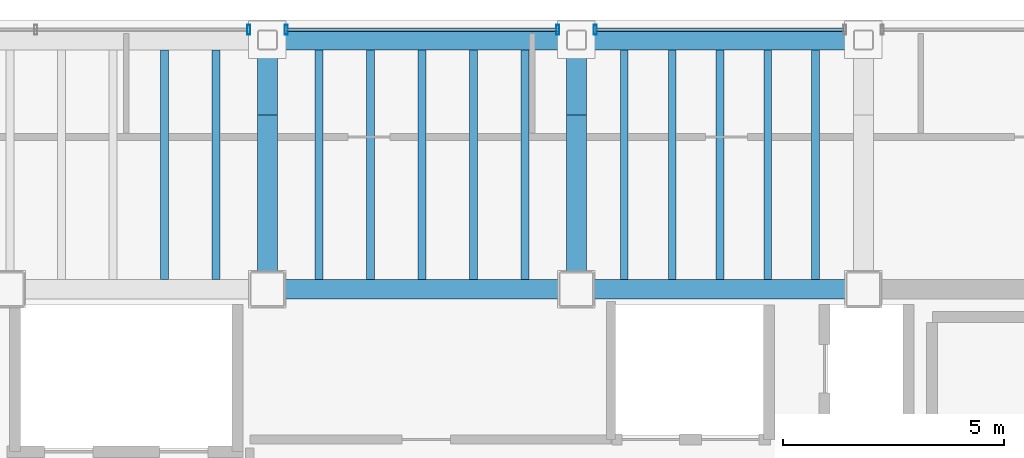
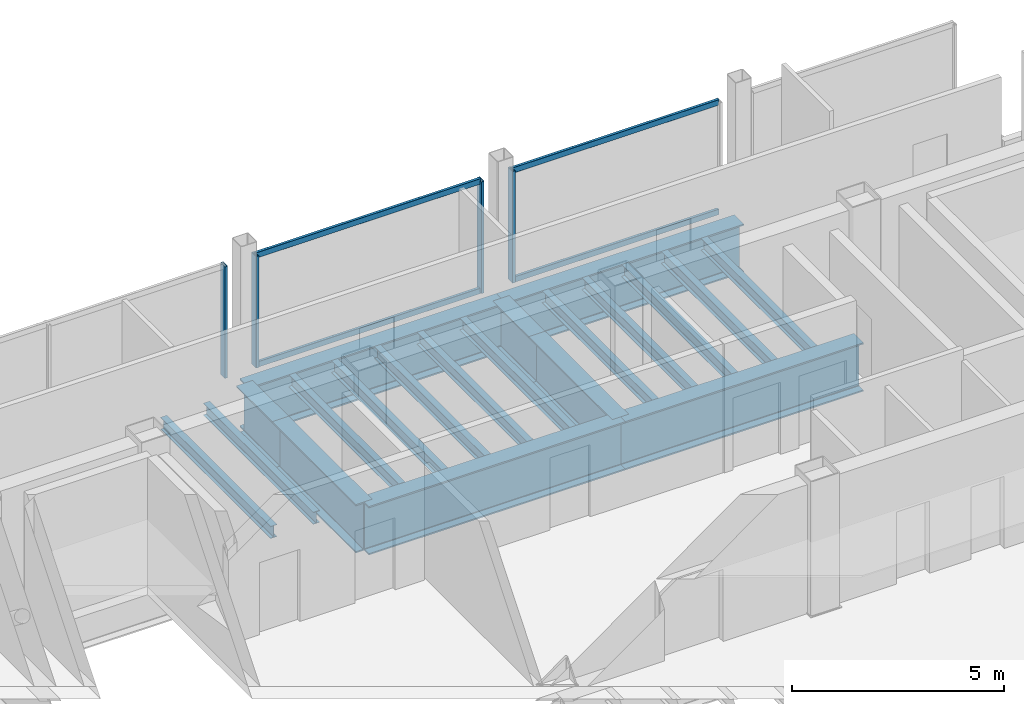
# One storey, part 11 of 19: 20 beams, 8 members, 3 elements without a shape of their own.
"""IFC4 building model written with IfcOpenShell, lengths in metres."""

from ifc_helpers import new_model, si_unit, direction, frame, origin, origin_2d, place, context, subcontext, project, spatial, hollow_rectangle, i_section, extrude, material, material_profile, profile_set, type_object, element, aggregate, save


model = new_model("IFC4")

# Units and contexts
model_context = context("Model", 3, precision=1e-05, world=origin(), true_north=direction((0.0, 1.0)))
body_context = subcontext(model_context, "Body", "Model", "MODEL_VIEW")
ifc_project = project(units=[si_unit("LENGTHUNIT", "METRE"), si_unit("AREAUNIT", "SQUARE_METRE"), si_unit("VOLUMEUNIT", "CUBIC_METRE"), si_unit("PLANEANGLEUNIT", "RADIAN"), si_unit("MASSUNIT", "GRAM", prefix="KILO")], contexts=[model_context])

# Site, building, storey
site_placement = place(None, origin())
site = spatial("IfcSite", under=ifc_project, at=site_placement, CompositionType="ELEMENT")
building_placement = place(site_placement, origin())
building = spatial("IfcBuilding", under=site, at=building_placement, Name="Noeulbin Bourse Tower", CompositionType="ELEMENT")
storey_placement = place(building_placement, frame((0.0, 0.0, 257.89990234375)))
storey = spatial("IfcBuildingStorey", under=building, at=storey_placement, Name="L64", CompositionType="ELEMENT", Elevation=257.89990234375)

# Beams
ifc_material_1 = material(Name="Steel S355", Category="steel")
ifc_material_profile_1 = material_profile(ifc_material_1, i_section(OverallWidth=0.175048828125, OverallDepth=0.35009765625, WebThickness=0.007080078125, FlangeThickness=0.010986328125, FilletRadius=0.013916015625, at=origin_2d()), Name="H-350x175x7x11", Category="LoadBearing")
ifc_profile_set_1 = profile_set([ifc_material_profile_1], Name="Steel S355")
beam_type_1 = type_object("IfcBeamType", Name="BM-JST-350", PredefinedType="JOIST", material=ifc_profile_set_1)
for number, where, z_axis, x_axis, name in (
    (1, (21.666748046875, 38.52490234375, -0.414794921875), (0.0, 1.0, 0.0), (-1.0, 0.0, 0.0), "Tower Composite Joist L64-14"),
    (2, (22.833251953125, 38.52490234375, -0.414794921875), (0.0, 1.0, 0.0), (-1.0, 0.0, 0.0), "Tower Composite Joist L64-16"),
    (3, (25.166748046875, 38.52490234375, -0.414794921875), (0.0, 1.0, 0.0), (-1.0, 0.0, 0.0), "Tower Composite Joist L64-18"),
    (4, (26.333251953125, 38.52490234375, -0.414794921875), (0.0, 1.0, 0.0), (-1.0, 0.0, 0.0), "Tower Composite Joist L64-20"),
    (5, (27.5, 38.52490234375, -0.414794921875), (0.0, 1.0, 0.0), (-1.0, 0.0, 0.0), "Tower Composite Joist L64-22"),
    (6, (28.666748046875, 38.52490234375, -0.414794921875), (0.0, 1.0, 0.0), (-1.0, 0.0, 0.0), "Tower Composite Joist L64-24"),
    (7, (29.833251953125, 38.52490234375, -0.414794921875), (0.0, 1.0, 0.0), (-1.0, 0.0, 0.0), "Tower Composite Joist L64-26"),
    (8, (32.083251953125, 38.52490234375, -0.414794921875), (0.0, 1.0, 0.0), (-1.0, 0.0, 0.0), "Tower Composite Joist L64-28"),
    (9, (33.166748046875, 38.52490234375, -0.414794921875), (0.0, 1.0, 0.0), (-1.0, 0.0, 0.0), "Tower Composite Joist L64-30"),
    (10, (34.25, 38.52490234375, -0.414794921875), (0.0, 1.0, 0.0), (-1.0, 0.0, 0.0), "Tower Composite Joist L64-32"),
    (11, (35.333251953125, 38.52490234375, -0.414794921875), (0.0, 1.0, 0.0), (-1.0, 0.0, 0.0), "Tower Composite Joist L64-34"),
    (12, (36.416748046875, 38.52490234375, -0.414794921875), (0.0, 1.0, 0.0), (-1.0, 0.0, 0.0), "Tower Composite Joist L64-36"),
):
    element("IfcBeam", number, at=place(storey_placement, frame(where, z_axis=z_axis, x_axis=x_axis)), inside=storey, type_object=beam_type_1, Name=name, PredefinedType="JOIST", context=body_context, shape_type="SweptSolid", body=[
        extrude(i_section(OverallWidth=0.175048828125, OverallDepth=0.35009765625, WebThickness=0.007080078125, FlangeThickness=0.010986328125, FilletRadius=0.013916015625, at=origin_2d()), origin(), (0.0, 0.0, 1.0), 5.2001953125),
    ])
ifc_material_2 = material(Name="Steel S460", Category="steel")
ifc_material_profile_2 = material_profile(ifc_material_2, i_section(OverallWidth=0.449951171875, OverallDepth=1.39990234375, WebThickness=0.02392578125, FlangeThickness=0.0400390625, FilletRadius=0.02392578125, at=origin_2d()), Name="PG-1400x450x24x40", Category="LoadBearing")
ifc_profile_set_2 = profile_set([ifc_material_profile_2], Name="Steel S460")
beam_type_2 = type_object("IfcBeamType", Name="BM-TRF-1400", PredefinedType="USERDEFINED", material=ifc_profile_set_2)
beam_1_placement = place(storey_placement, frame((24.0, 38.300048828125, -0.93994140625), z_axis=(1.0, 0.0, 0.0), x_axis=(0.0, 1.0, 0.0)))
element("IfcBeam", 13, at=beam_1_placement, inside=storey, type_object=beam_type_2, Name="Tower Primary Girder EW L64-3.2", ObjectType="GIRDER", PredefinedType="USERDEFINED", context=body_context, shape_type="SweptSolid", body=[
    extrude(i_section(OverallWidth=0.449951171875, OverallDepth=1.39990234375, WebThickness=0.02392578125, FlangeThickness=0.0400390625, FilletRadius=0.02392578125, at=origin_2d()), origin(), (0.0, 0.0, 1.0), 7.0),
])
beam_2_placement = place(storey_placement, frame((31.0, 38.300048828125, -0.93994140625), z_axis=(1.0, 0.0, 0.0), x_axis=(0.0, 1.0, 0.0)))
element("IfcBeam", 14, at=beam_2_placement, inside=storey, type_object=beam_type_2, Name="Tower Primary Girder EW L64-3.3", ObjectType="GIRDER", PredefinedType="USERDEFINED", context=body_context, shape_type="SweptSolid", body=[
    extrude(i_section(OverallWidth=0.449951171875, OverallDepth=1.39990234375, WebThickness=0.02392578125, FlangeThickness=0.0400390625, FilletRadius=0.02392578125, at=origin_2d()), origin(), (0.0, 0.0, 1.0), 6.5),
])
beam_3_placement = place(storey_placement, frame((24.0, 38.300048828125, -0.93994140625), z_axis=(0.0, 1.0, 0.0), x_axis=(-1.0, 0.0, 0.0)))
element("IfcBeam", 15, at=beam_3_placement, inside=storey, type_object=beam_type_2, Name="Tower Primary Girder NS L64-2.4", ObjectType="GIRDER", PredefinedType="USERDEFINED", context=body_context, shape_type="SweptSolid", body=[
    extrude(i_section(OverallWidth=0.449951171875, OverallDepth=1.39990234375, WebThickness=0.02392578125, FlangeThickness=0.0400390625, FilletRadius=0.02392578125, at=origin_2d()), origin(), (0.0, 0.0, 1.0), 3.949951171875),
])
beam_4_placement = place(storey_placement, frame((24.0, 42.25, -0.93994140625), z_axis=(0.0, 1.0, 0.0), x_axis=(-1.0, 0.0, 0.0)))
element("IfcBeam", 16, at=beam_4_placement, inside=storey, type_object=beam_type_2, Name="Tower Primary Girder NS L64-2.5", ObjectType="GIRDER", PredefinedType="USERDEFINED", context=body_context, shape_type="SweptSolid", body=[
    extrude(i_section(OverallWidth=0.449951171875, OverallDepth=1.39990234375, WebThickness=0.02392578125, FlangeThickness=0.0400390625, FilletRadius=0.02392578125, at=origin_2d()), origin(), (0.0, 0.0, 1.0), 1.699951171875),
])
beam_5_placement = place(storey_placement, frame((31.0, 38.300048828125, -0.93994140625), z_axis=(0.0, 1.0, 0.0), x_axis=(-1.0, 0.0, 0.0)))
element("IfcBeam", 17, at=beam_5_placement, inside=storey, type_object=beam_type_2, Name="Tower Primary Girder NS L64-3.4", ObjectType="GIRDER", PredefinedType="USERDEFINED", context=body_context, shape_type="SweptSolid", body=[
    extrude(i_section(OverallWidth=0.449951171875, OverallDepth=1.39990234375, WebThickness=0.02392578125, FlangeThickness=0.0400390625, FilletRadius=0.02392578125, at=origin_2d()), origin(), (0.0, 0.0, 1.0), 3.949951171875),
])
beam_6_placement = place(storey_placement, frame((31.0, 42.25, -0.93994140625), z_axis=(0.0, 1.0, 0.0), x_axis=(-1.0, 0.0, 0.0)))
element("IfcBeam", 18, at=beam_6_placement, inside=storey, type_object=beam_type_2, Name="Tower Primary Girder NS L64-3.5", ObjectType="GIRDER", PredefinedType="USERDEFINED", context=body_context, shape_type="SweptSolid", body=[
    extrude(i_section(OverallWidth=0.449951171875, OverallDepth=1.39990234375, WebThickness=0.02392578125, FlangeThickness=0.0400390625, FilletRadius=0.02392578125, at=origin_2d()), origin(), (0.0, 0.0, 1.0), 1.699951171875),
])
beam_7_placement = place(storey_placement, frame((24.0, 43.949951171875, -0.93994140625), z_axis=(1.0, 0.0, 0.0), x_axis=(0.0, 1.0, 0.0)))
element("IfcBeam", 19, at=beam_7_placement, inside=storey, type_object=beam_type_2, Name="North Spandrel L64-2", ObjectType="GIRDER", PredefinedType="USERDEFINED", context=body_context, shape_type="SweptSolid", body=[
    extrude(i_section(OverallWidth=0.449951171875, OverallDepth=1.39990234375, WebThickness=0.02392578125, FlangeThickness=0.0400390625, FilletRadius=0.02392578125, at=origin_2d()), origin(), (0.0, 0.0, 1.0), 7.0),
])
beam_8_placement = place(storey_placement, frame((31.0, 43.949951171875, -0.93994140625), z_axis=(1.0, 0.0, 0.0), x_axis=(0.0, 1.0, 0.0)))
element("IfcBeam", 20, at=beam_8_placement, inside=storey, type_object=beam_type_2, Name="North Spandrel L64-3", ObjectType="GIRDER", PredefinedType="USERDEFINED", context=body_context, shape_type="SweptSolid", body=[
    extrude(i_section(OverallWidth=0.449951171875, OverallDepth=1.39990234375, WebThickness=0.02392578125, FlangeThickness=0.0400390625, FilletRadius=0.02392578125, at=origin_2d()), origin(), (0.0, 0.0, 1.0), 6.5),
])

# Curtain wall, member
ifc_material_3 = material(Name="High-Selectivity Low-Iron Glazing", Category="glass")
curtain_wall_type = type_object("IfcCurtainWallType", Name="CW-SYS-4", PredefinedType="NOTDEFINED", material=ifc_material_3)
curtain_wall_1_placement = place(storey_placement, origin())
curtain_wall_1 = element("IfcCurtainWall", 21, at=curtain_wall_1_placement, inside=storey, type_object=curtain_wall_type, Name="Unitised Curtain Wall CW-L64-N-S2", PredefinedType="NOTDEFINED")
ifc_material_4 = material(Name="Anodised Aluminium 6063-T6", Category="aluminium")
ifc_material_profile_3 = material_profile(ifc_material_4, hollow_rectangle(XDim=0.074951171875, YDim=0.219970703125, WallThickness=0.0048828125, InnerFilletRadius=0.00244140625, OuterFilletRadius=0.0048828125, at=origin_2d()), Name="ALU-MULL-75x220x5", Category="LoadBearing")
ifc_profile_set_3 = profile_set([ifc_material_profile_3], Name="Anodised Aluminium 6063-T6")
member_type_1 = type_object("IfcMemberType", Name="CW-SYS-4-MUL", PredefinedType="MULLION", material=ifc_profile_set_3)
member_1_placement = place(storey_placement, frame((23.574951171875, 44.179931640625, -0.02001953125), z_axis=(0.0, 0.0, 1.0), x_axis=(1.0, 0.0, 0.0)))
member_1 = element("IfcMember", 22, at=member_1_placement, type_object=member_type_1, Name="Curtain Wall Mullion CW-L64-N-S2-M02", PredefinedType="MULLION", context=body_context, shape_type="SweptSolid", body=[
    extrude(hollow_rectangle(XDim=0.074951171875, YDim=0.219970703125, WallThickness=0.0048828125, InnerFilletRadius=0.00244140625, OuterFilletRadius=0.0048828125, at=origin_2d()), origin(), (0.0, 0.0, 1.0), 3.22021484375),
])
aggregate(curtain_wall_1, [member_1])

# Curtain wall, members
curtain_wall_2_placement = place(storey_placement, origin())
curtain_wall_2 = element("IfcCurtainWall", 23, at=curtain_wall_2_placement, inside=storey, type_object=curtain_wall_type, Name="Unitised Curtain Wall CW-L64-N-S3", PredefinedType="NOTDEFINED")
member_2_placement = place(storey_placement, frame((24.425048828125, 44.179931640625, -0.02001953125), z_axis=(0.0, 0.0, 1.0), x_axis=(1.0, 0.0, 0.0)))
member_2 = element("IfcMember", 24, at=member_2_placement, type_object=member_type_1, Name="Curtain Wall Mullion CW-L64-N-S3-M00", PredefinedType="MULLION", context=body_context, shape_type="SweptSolid", body=[
    extrude(hollow_rectangle(XDim=0.074951171875, YDim=0.219970703125, WallThickness=0.0048828125, InnerFilletRadius=0.00244140625, OuterFilletRadius=0.0048828125, at=origin_2d()), origin(), (0.0, 0.0, 1.0), 3.22021484375),
])
member_3_placement = place(storey_placement, frame((30.574951171875, 44.179931640625, -0.02001953125), z_axis=(0.0, 0.0, 1.0), x_axis=(1.0, 0.0, 0.0)))
member_3 = element("IfcMember", 25, at=member_3_placement, type_object=member_type_1, Name="Curtain Wall Mullion CW-L64-N-S3-M01", PredefinedType="MULLION", context=body_context, shape_type="SweptSolid", body=[
    extrude(hollow_rectangle(XDim=0.074951171875, YDim=0.219970703125, WallThickness=0.0048828125, InnerFilletRadius=0.00244140625, OuterFilletRadius=0.0048828125, at=origin_2d()), origin(), (0.0, 0.0, 1.0), 3.22021484375),
])

# Curtain wall, member
curtain_wall_3_placement = place(storey_placement, origin())
curtain_wall_3 = element("IfcCurtainWall", 26, at=curtain_wall_3_placement, inside=storey, type_object=curtain_wall_type, Name="Unitised Curtain Wall CW-L64-N-S4", PredefinedType="NOTDEFINED")
member_4_placement = place(storey_placement, frame((31.425048828125, 44.179931640625, -0.02001953125), z_axis=(0.0, 0.0, 1.0), x_axis=(1.0, 0.0, 0.0)))
member_4 = element("IfcMember", 27, at=member_4_placement, type_object=member_type_1, Name="Curtain Wall Mullion CW-L64-N-S4-M00", PredefinedType="MULLION", context=body_context, shape_type="SweptSolid", body=[
    extrude(hollow_rectangle(XDim=0.074951171875, YDim=0.219970703125, WallThickness=0.0048828125, InnerFilletRadius=0.00244140625, OuterFilletRadius=0.0048828125, at=origin_2d()), origin(), (0.0, 0.0, 1.0), 3.22021484375),
])

# Member
ifc_material_profile_4 = material_profile(ifc_material_4, hollow_rectangle(XDim=0.074951171875, YDim=0.159912109375, WallThickness=0.0048828125, InnerFilletRadius=0.00244140625, OuterFilletRadius=0.0048828125, at=origin_2d()), Name="ALU-TRAN-75x160x5", Category="LoadBearing")
ifc_profile_set_4 = profile_set([ifc_material_profile_4], Name="Anodised Aluminium 6063-T6")
member_type_2 = type_object("IfcMemberType", Name="CW-SYS-4-TRN", PredefinedType="USERDEFINED", material=ifc_profile_set_4)
member_5_placement = place(storey_placement, frame((24.43505859375, 44.179931640625, 0.010009765625), z_axis=(1.0, 0.0, 0.0), x_axis=(0.0, 1.0, 0.0)))
member_5 = element("IfcMember", 28, at=member_5_placement, type_object=member_type_2, Name="Curtain Wall Transom CW-L64-N-S3-T00", ObjectType="TRANSOM", PredefinedType="USERDEFINED", context=body_context, shape_type="SweptSolid", body=[
    extrude(hollow_rectangle(XDim=0.074951171875, YDim=0.159912109375, WallThickness=0.0048828125, InnerFilletRadius=0.00244140625, OuterFilletRadius=0.0048828125, at=origin_2d()), origin(), (0.0, 0.0, 1.0), 6.1298828125),
])

member_6_placement = place(storey_placement, frame((24.43505859375, 44.179931640625, 3.170166015625), z_axis=(1.0, 0.0, 0.0), x_axis=(0.0, 1.0, 0.0)))
member_6 = element("IfcMember", 29, at=member_6_placement, type_object=member_type_2, Name="Curtain Wall Transom CW-L64-N-S3-T01", ObjectType="TRANSOM", PredefinedType="USERDEFINED", context=body_context, shape_type="SweptSolid", body=[
    extrude(hollow_rectangle(XDim=0.074951171875, YDim=0.159912109375, WallThickness=0.0048828125, InnerFilletRadius=0.00244140625, OuterFilletRadius=0.0048828125, at=origin_2d()), origin(), (0.0, 0.0, 1.0), 6.1298828125),
])

aggregate(curtain_wall_2, [member_2, member_3, member_5, member_6])

member_7_placement = place(storey_placement, frame((31.43505859375, 44.179931640625, 0.010009765625), z_axis=(1.0, 0.0, 0.0), x_axis=(0.0, 1.0, 0.0)))
member_7 = element("IfcMember", 30, at=member_7_placement, type_object=member_type_2, Name="Curtain Wall Transom CW-L64-N-S4-T00", ObjectType="TRANSOM", PredefinedType="USERDEFINED", context=body_context, shape_type="SweptSolid", body=[
    extrude(hollow_rectangle(XDim=0.074951171875, YDim=0.159912109375, WallThickness=0.0048828125, InnerFilletRadius=0.00244140625, OuterFilletRadius=0.0048828125, at=origin_2d()), origin(), (0.0, 0.0, 1.0), 5.6298828125),
])

member_8_placement = place(storey_placement, frame((31.43505859375, 44.179931640625, 3.170166015625), z_axis=(1.0, 0.0, 0.0), x_axis=(0.0, 1.0, 0.0)))
member_8 = element("IfcMember", 31, at=member_8_placement, type_object=member_type_2, Name="Curtain Wall Transom CW-L64-N-S4-T01", ObjectType="TRANSOM", PredefinedType="USERDEFINED", context=body_context, shape_type="SweptSolid", body=[
    extrude(hollow_rectangle(XDim=0.074951171875, YDim=0.159912109375, WallThickness=0.0048828125, InnerFilletRadius=0.00244140625, OuterFilletRadius=0.0048828125, at=origin_2d()), origin(), (0.0, 0.0, 1.0), 5.6298828125),
])

aggregate(curtain_wall_3, [member_4, member_7, member_8])

save(model, "model.ifc")
